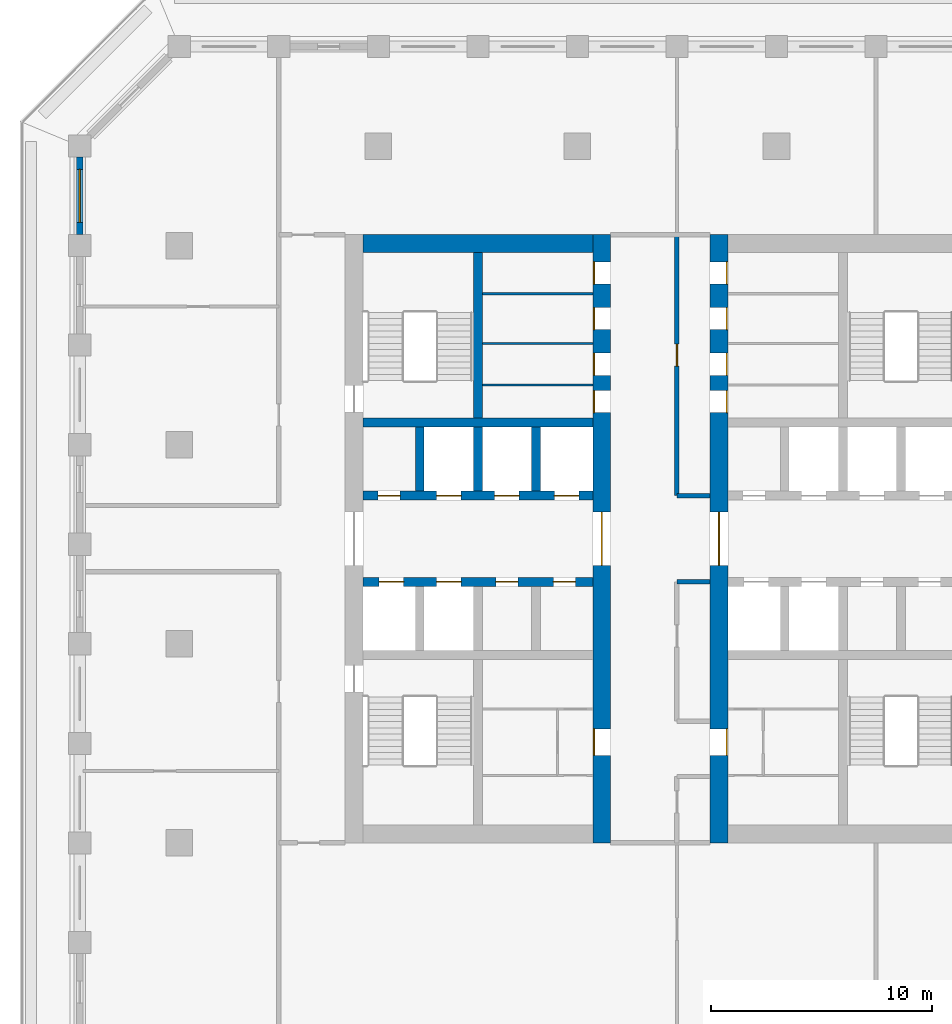
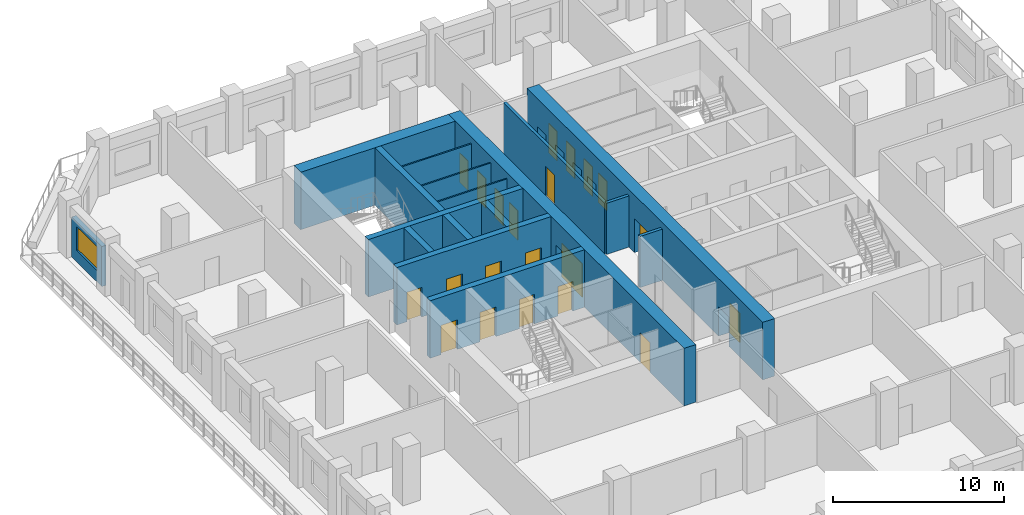
# One storey, part 5 of 16: 21 doors, 17 walls, 1 window, 22 openings.
"""IFC4 building model written with IfcOpenShell, lengths in metres."""

from ifc_helpers import new_model, si_unit, direction, frame, frame_2d, origin, place, context, subcontext, project, spatial, rectangle, extrude, material, layer, layer_set, type_object, element, fill, save


model = new_model("IFC4")

# Units and contexts
model_context = context("Model", 3, precision=1e-05, world=origin(), true_north=direction((0.0, 1.0)))
body_context = subcontext(model_context, "Body", "Model", "MODEL_VIEW")
ifc_project = project(units=[si_unit("LENGTHUNIT", "METRE"), si_unit("AREAUNIT", "SQUARE_METRE"), si_unit("VOLUMEUNIT", "CUBIC_METRE"), si_unit("PLANEANGLEUNIT", "RADIAN"), si_unit("MASSUNIT", "GRAM", prefix="KILO")], contexts=[model_context])

# Site, building, storey
site_placement = place(None, origin())
site = spatial("IfcSite", under=ifc_project, at=site_placement, CompositionType="ELEMENT")
building_placement = place(site_placement, origin())
building = spatial("IfcBuilding", under=site, at=building_placement, Name="Corbel Stack Research Tower", CompositionType="ELEMENT")
storey_placement = place(building_placement, frame((0.0, 0.0, 195.60009765625)))
storey = spatial("IfcBuildingStorey", under=building, at=storey_placement, Name="L44", CompositionType="ELEMENT", Elevation=195.60009765625)

# Wall, openings, doors
ifc_material_1 = material(Name="Concrete C60/75", Category="concrete")
ifc_layer_1 = layer(ifc_material_1, 0.39990234375)
ifc_layer_set_1 = layer_set([ifc_layer_1], Name="Concrete C60/75")
wall_type_1 = type_object("IfcWallType", Name="CW-400-60", PredefinedType="SHEAR", material=ifc_layer_set_1)
wall_1_placement = place(storey_placement, frame((-9.699951171875, 2.800048828125, 0.0), z_axis=(0.0, 0.0, 1.0), x_axis=(1.0, 0.0, 0.0)))
wall_1 = element("IfcWall", 1, at=wall_1_placement, inside=storey, type_object=wall_type_1, Name="West core wall, lobby south L44", PredefinedType="SHEAR", context=body_context, shape_type="SweptSolid", body=[
    extrude(rectangle(XDim=10.39990234375, YDim=0.39990234375, at=frame_2d((5.199951171875, 0.0))), origin(), (0.0, 0.0, 1.0), 4.099853515625),
])
opening_1_placement = place(wall_1_placement, frame((0.737548828125, 0.0, 0.0)))
opening_1 = element("IfcOpeningElement", 2, at=opening_1_placement, cuts=wall_1, Name="Opening LD-FS1", PredefinedType="OPENING", context=body_context, shape_type="SweptSolid", body=[
    extrude(rectangle(XDim=1.10009765625, YDim=2.10009765625, at=frame_2d((0.550048828125, 1.050048828125))), frame((0.0, 0.2099609375, 0.0), z_axis=(0.0, -1.0, 0.0), x_axis=(1.0, 0.0, 0.0)), (0.0, 0.0, 1.0), 0.419921875),
])
opening_2_placement = place(wall_1_placement, frame((3.33740234375, 0.0, 0.0)))
opening_2 = element("IfcOpeningElement", 3, at=opening_2_placement, cuts=wall_1, Name="Opening LD-GL1", PredefinedType="OPENING", context=body_context, shape_type="SweptSolid", body=[
    extrude(rectangle(XDim=1.10009765625, YDim=2.10009765625, at=frame_2d((0.550048828125, 1.050048828125))), frame((0.0, 0.2099609375, 0.0), z_axis=(0.0, -1.0, 0.0), x_axis=(1.0, 0.0, 0.0)), (0.0, 0.0, 1.0), 0.419921875),
])
opening_3_placement = place(wall_1_placement, frame((6.012451171875, 0.0, 0.0)))
opening_3 = element("IfcOpeningElement", 4, at=opening_3_placement, cuts=wall_1, Name="Opening CR-W36-S3", PredefinedType="OPENING", context=body_context, shape_type="SweptSolid", body=[
    extrude(rectangle(XDim=1.0, YDim=2.10009765625, at=frame_2d((0.5, 1.050048828125))), frame((0.0, 0.2099609375, 0.0), z_axis=(0.0, -1.0, 0.0), x_axis=(1.0, 0.0, 0.0)), (0.0, 0.0, 1.0), 0.419921875),
])
opening_4_placement = place(wall_1_placement, frame((8.612548828125, 0.0, 0.0)))
opening_4 = element("IfcOpeningElement", 5, at=opening_4_placement, cuts=wall_1, Name="Opening CR-W36-S4", PredefinedType="OPENING", context=body_context, shape_type="SweptSolid", body=[
    extrude(rectangle(XDim=1.0, YDim=2.10009765625, at=frame_2d((0.5, 1.050048828125))), frame((0.0, 0.2099609375, 0.0), z_axis=(0.0, -1.0, 0.0), x_axis=(1.0, 0.0, 0.0)), (0.0, 0.0, 1.0), 0.419921875),
])
ifc_material_2 = material(Name="Stainless steel landing door", Category="steel")
door_type_1 = type_object("IfcDoorType", Name="Lift landing door 1100 x 2100", OperationType="DOUBLE_DOOR_SLIDING", PredefinedType="DOOR", material=ifc_material_2)
door_1_placement = place(opening_1_placement, origin())
door_1 = element("IfcDoor", 6, at=door_1_placement, inside=storey, type_object=door_type_1, Name="Landing door FS1", OperationType="DOUBLE_DOOR_SLIDING", OverallHeight=2.10009765625, OverallWidth=1.10009765625, PredefinedType="DOOR", context=body_context, shape_type="SweptSolid", body=[
    extrude(rectangle(XDim=1.10009765625, YDim=2.10009765625, at=frame_2d((0.550048828125, 1.050048828125))), frame((0.0, 0.02490234375, 0.0), z_axis=(0.0, -1.0, 0.0), x_axis=(1.0, 0.0, 0.0)), (0.0, 0.0, 1.0), 0.050048828125),
])
fill(opening_1, door_1)
door_2_placement = place(opening_2_placement, origin())
door_2 = element("IfcDoor", 7, at=door_2_placement, inside=storey, type_object=door_type_1, Name="Landing door GL1", OperationType="DOUBLE_DOOR_SLIDING", OverallHeight=2.10009765625, OverallWidth=1.10009765625, PredefinedType="DOOR", context=body_context, shape_type="SweptSolid", body=[
    extrude(rectangle(XDim=1.10009765625, YDim=2.10009765625, at=frame_2d((0.550048828125, 1.050048828125))), frame((0.0, 0.02490234375, 0.0), z_axis=(0.0, -1.0, 0.0), x_axis=(1.0, 0.0, 0.0)), (0.0, 0.0, 1.0), 0.050048828125),
])
fill(opening_2, door_2)
ifc_material_3 = material(Name="Painted steel door", Category="steel")
door_type_2 = type_object("IfcDoorType", Name="Service door 1000 x 2100 FD60 left hand", OperationType="SINGLE_SWING_LEFT", PredefinedType="DOOR", material=ifc_material_3)
door_3_placement = place(opening_3_placement, origin())
door_3 = element("IfcDoor", 8, at=door_3_placement, inside=storey, type_object=door_type_2, Name="Mechanical room door W core", OperationType="SINGLE_SWING_LEFT", OverallHeight=2.10009765625, OverallWidth=1.0, PredefinedType="DOOR", context=body_context, shape_type="SweptSolid", body=[
    extrude(rectangle(XDim=1.0, YDim=2.10009765625, at=frame_2d((0.5, 1.050048828125))), frame((0.0, 0.02490234375, 0.0), z_axis=(0.0, -1.0, 0.0), x_axis=(1.0, 0.0, 0.0)), (0.0, 0.0, 1.0), 0.050048828125),
])
fill(opening_3, door_3)
ifc_material_4 = material(Name="Painted steel door", Category="steel")
door_type_3 = type_object("IfcDoorType", Name="Service door 1000 x 2100 FD60 right hand", OperationType="SINGLE_SWING_RIGHT", PredefinedType="DOOR", material=ifc_material_4)
door_4_placement = place(opening_4_placement, origin())
door_4 = element("IfcDoor", 9, at=door_4_placement, inside=storey, type_object=door_type_3, Name="Telecom room door W core", OperationType="SINGLE_SWING_RIGHT", OverallHeight=2.10009765625, OverallWidth=1.0, PredefinedType="DOOR", context=body_context, shape_type="SweptSolid", body=[
    extrude(rectangle(XDim=1.0, YDim=2.10009765625, at=frame_2d((0.5, 1.050048828125))), frame((0.0, 0.02490234375, 0.0), z_axis=(0.0, -1.0, 0.0), x_axis=(1.0, 0.0, 0.0)), (0.0, 0.0, 1.0), 0.050048828125),
])
fill(opening_4, door_4)

wall_2_placement = place(storey_placement, frame((-9.699951171875, 6.699951171875, 0.0), z_axis=(0.0, 0.0, 1.0), x_axis=(1.0, 0.0, 0.0)))
wall_2 = element("IfcWall", 10, at=wall_2_placement, inside=storey, type_object=wall_type_1, Name="West core wall, lobby north L44", PredefinedType="SHEAR", context=body_context, shape_type="SweptSolid", body=[
    extrude(rectangle(XDim=10.39990234375, YDim=0.39990234375, at=frame_2d((5.199951171875, 0.0))), origin(), (0.0, 0.0, 1.0), 4.099853515625),
])
opening_5_placement = place(wall_2_placement, frame((3.33740234375, 0.0, 0.0)))
opening_5 = element("IfcOpeningElement", 11, at=opening_5_placement, cuts=wall_2, Name="Opening LD-HR1", PredefinedType="OPENING", context=body_context, shape_type="SweptSolid", body=[
    extrude(rectangle(XDim=1.10009765625, YDim=2.10009765625, at=frame_2d((0.550048828125, 1.050048828125))), frame((0.0, 0.2099609375, 0.0), z_axis=(0.0, -1.0, 0.0), x_axis=(1.0, 0.0, 0.0)), (0.0, 0.0, 1.0), 0.419921875),
])
opening_6_placement = place(wall_2_placement, frame((5.96240234375, 0.0, 0.0)))
opening_6 = element("IfcOpeningElement", 12, at=opening_6_placement, cuts=wall_2, Name="Opening LD-HR2", PredefinedType="OPENING", context=body_context, shape_type="SweptSolid", body=[
    extrude(rectangle(XDim=1.10009765625, YDim=2.10009765625, at=frame_2d((0.550048828125, 1.050048828125))), frame((0.0, 0.2099609375, 0.0), z_axis=(0.0, -1.0, 0.0), x_axis=(1.0, 0.0, 0.0)), (0.0, 0.0, 1.0), 0.419921875),
])
opening_7_placement = place(wall_2_placement, frame((8.66259765625, 0.0, 0.0)))
opening_7 = element("IfcOpeningElement", 13, at=opening_7_placement, cuts=wall_2, Name="Opening LD-HR3", PredefinedType="OPENING", context=body_context, shape_type="SweptSolid", body=[
    extrude(rectangle(XDim=1.10009765625, YDim=2.10009765625, at=frame_2d((0.550048828125, 1.050048828125))), frame((0.0, 0.2099609375, 0.0), z_axis=(0.0, -1.0, 0.0), x_axis=(1.0, 0.0, 0.0)), (0.0, 0.0, 1.0), 0.419921875),
])
opening_8_placement = place(wall_2_placement, frame((0.6875, 0.0, 0.0)))
opening_8 = element("IfcOpeningElement", 14, at=opening_8_placement, cuts=wall_2, Name="Opening CR-W36-N1", PredefinedType="OPENING", context=body_context, shape_type="SweptSolid", body=[
    extrude(rectangle(XDim=1.0, YDim=2.10009765625, at=frame_2d((0.5, 1.050048828125))), frame((0.0, 0.2099609375, 0.0), z_axis=(0.0, -1.0, 0.0), x_axis=(1.0, 0.0, 0.0)), (0.0, 0.0, 1.0), 0.419921875),
])
door_5_placement = place(opening_5_placement, origin())
door_5 = element("IfcDoor", 15, at=door_5_placement, inside=storey, type_object=door_type_1, Name="Landing door HR1", OperationType="DOUBLE_DOOR_SLIDING", OverallHeight=2.10009765625, OverallWidth=1.10009765625, PredefinedType="DOOR", context=body_context, shape_type="SweptSolid", body=[
    extrude(rectangle(XDim=1.10009765625, YDim=2.10009765625, at=frame_2d((0.550048828125, 1.050048828125))), frame((0.0, 0.02490234375, 0.0), z_axis=(0.0, -1.0, 0.0), x_axis=(1.0, 0.0, 0.0)), (0.0, 0.0, 1.0), 0.050048828125),
])
fill(opening_5, door_5)
door_6_placement = place(opening_6_placement, origin())
door_6 = element("IfcDoor", 16, at=door_6_placement, inside=storey, type_object=door_type_1, Name="Landing door HR2", OperationType="DOUBLE_DOOR_SLIDING", OverallHeight=2.10009765625, OverallWidth=1.10009765625, PredefinedType="DOOR", context=body_context, shape_type="SweptSolid", body=[
    extrude(rectangle(XDim=1.10009765625, YDim=2.10009765625, at=frame_2d((0.550048828125, 1.050048828125))), frame((0.0, 0.02490234375, 0.0), z_axis=(0.0, -1.0, 0.0), x_axis=(1.0, 0.0, 0.0)), (0.0, 0.0, 1.0), 0.050048828125),
])
fill(opening_6, door_6)
door_7_placement = place(opening_7_placement, origin())
door_7 = element("IfcDoor", 17, at=door_7_placement, inside=storey, type_object=door_type_1, Name="Landing door HR3", OperationType="DOUBLE_DOOR_SLIDING", OverallHeight=2.10009765625, OverallWidth=1.10009765625, PredefinedType="DOOR", context=body_context, shape_type="SweptSolid", body=[
    extrude(rectangle(XDim=1.10009765625, YDim=2.10009765625, at=frame_2d((0.550048828125, 1.050048828125))), frame((0.0, 0.02490234375, 0.0), z_axis=(0.0, -1.0, 0.0), x_axis=(1.0, 0.0, 0.0)), (0.0, 0.0, 1.0), 0.050048828125),
])
fill(opening_7, door_7)
door_8_placement = place(opening_8_placement, origin())
door_8 = element("IfcDoor", 18, at=door_8_placement, inside=storey, type_object=door_type_2, Name="Copy and supply store door W core", OperationType="SINGLE_SWING_LEFT", OverallHeight=2.10009765625, OverallWidth=1.0, PredefinedType="DOOR", context=body_context, shape_type="SweptSolid", body=[
    extrude(rectangle(XDim=1.0, YDim=2.10009765625, at=frame_2d((0.5, 1.050048828125))), frame((0.0, 0.02490234375, 0.0), z_axis=(0.0, -1.0, 0.0), x_axis=(1.0, 0.0, 0.0)), (0.0, 0.0, 1.0), 0.050048828125),
])
fill(opening_8, door_8)

# Walls
wall_3_placement = place(storey_placement, frame((-9.699951171875, 10.0, 0.0), z_axis=(0.0, 0.0, 1.0), x_axis=(1.0, 0.0, 0.0)))
element("IfcWall", 19, at=wall_3_placement, inside=storey, type_object=wall_type_1, Name="West core wall, north row back L44", PredefinedType="SHEAR", context=body_context, shape_type="SweptSolid", body=[
    extrude(rectangle(XDim=10.39990234375, YDim=0.39990234375, at=frame_2d((5.199951171875, 0.0))), origin(), (0.0, 0.0, 1.0), 4.099853515625),
])
for number, where, z_axis, x_axis, name in (
    (20, (-7.125, 6.89990234375, 0.0), (0.0, 0.0, 1.0), (0.0, 1.0, 0.0), "West core wall, north shaft 1 L44"),
    (21, (-4.5, 6.89990234375, 0.0), (0.0, 0.0, 1.0), (0.0, 1.0, 0.0), "West core wall, north shaft 2 L44"),
    (22, (-1.875, 6.89990234375, 0.0), (0.0, 0.0, 1.0), (0.0, 1.0, 0.0), "West core wall, north shaft 3 L44"),
):
    element("IfcWall", number, at=place(storey_placement, frame(where, z_axis=z_axis, x_axis=x_axis)), inside=storey, type_object=wall_type_1, Name=name, PredefinedType="SHEAR", context=body_context, shape_type="SweptSolid", body=[
        extrude(rectangle(XDim=2.900146484375, YDim=0.39990234375, at=frame_2d((1.4501953125, 0.0))), origin(), (0.0, 0.0, 1.0), 4.099853515625),
    ])
wall_4_placement = place(storey_placement, frame((-4.5, 10.199951171875, 0.0), z_axis=(0.0, 0.0, 1.0), x_axis=(0.0, 1.0, 0.0)))
element("IfcWall", 23, at=wall_4_placement, inside=storey, type_object=wall_type_1, Name="West core wall, north stair and riser L44", PredefinedType="SHEAR", context=body_context, shape_type="SweptSolid", body=[
    extrude(rectangle(XDim=7.5, YDim=0.39990234375, at=frame_2d((3.75, 0.0))), origin(), (0.0, 0.0, 1.0), 4.099853515625),
])

# Wall, openings, doors
ifc_material_5 = material(Name="Concrete C60/75", Category="concrete")
ifc_layer_2 = layer(ifc_material_5, 0.800048828125)
ifc_layer_set_2 = layer_set([ifc_layer_2], Name="Concrete C60/75")
wall_type_2 = type_object("IfcWallType", Name="CW-800-60", PredefinedType="SHEAR", material=ifc_layer_set_2)
wall_5_placement = place(storey_placement, frame((1.10009765625, -9.0, 0.0), z_axis=(0.0, 0.0, 1.0), x_axis=(0.0, 1.0, 0.0)))
wall_5 = element("IfcWall", 24, at=wall_5_placement, inside=storey, type_object=wall_type_2, Name="West core wall, east face L44", PredefinedType="SHEAR", context=body_context, shape_type="SweptSolid", body=[
    extrude(rectangle(XDim=27.5, YDim=0.800048828125, at=frame_2d((13.75, 0.0))), origin(), (0.0, 0.0, 1.0), 4.099853515625),
])
opening_9_placement = place(wall_5_placement, frame((12.550048828125, 0.0, 0.0)))
opening_9 = element("IfcOpeningElement", 25, at=opening_9_placement, cuts=wall_5, Name="Opening CD-W-E", PredefinedType="OPENING", context=body_context, shape_type="SweptSolid", body=[
    extrude(rectangle(XDim=2.39990234375, YDim=2.39990234375, at=frame_2d((1.199951171875, 1.199951171875))), frame((0.0, 0.409912109375, 0.0), z_axis=(0.0, -1.0, 0.0), x_axis=(1.0, 0.0, 0.0)), (0.0, 0.0, 1.0), 0.820068359375),
])
opening_10_placement = place(wall_5_placement, frame((3.949951171875, 0.0, 0.0)))
opening_10 = element("IfcOpeningElement", 26, at=opening_10_placement, cuts=wall_5, Name="Opening CR-W36-W1-1200", PredefinedType="OPENING", context=body_context, shape_type="SweptSolid", body=[
    extrude(rectangle(XDim=1.199951171875, YDim=2.10009765625, at=frame_2d((0.60009765625, 1.050048828125))), frame((0.0, 0.409912109375, 0.0), z_axis=(0.0, -1.0, 0.0), x_axis=(1.0, 0.0, 0.0)), (0.0, 0.0, 1.0), 0.820068359375),
])
opening_11_placement = place(wall_5_placement, frame((19.449951171875, 0.0, 0.0)))
opening_11 = element("IfcOpeningElement", 27, at=opening_11_placement, cuts=wall_5, Name="Opening CR-W36-R1-1000", PredefinedType="OPENING", context=body_context, shape_type="SweptSolid", body=[
    extrude(rectangle(XDim=1.0, YDim=2.10009765625, at=frame_2d((0.5, 1.050048828125))), frame((0.0, 0.409912109375, 0.0), z_axis=(0.0, -1.0, 0.0), x_axis=(1.0, 0.0, 0.0)), (0.0, 0.0, 1.0), 0.820068359375),
])
opening_12_placement = place(wall_5_placement, frame((21.137451171875, 0.0, 0.0)))
opening_12 = element("IfcOpeningElement", 28, at=opening_12_placement, cuts=wall_5, Name="Opening CR-W36-R2-1000", PredefinedType="OPENING", context=body_context, shape_type="SweptSolid", body=[
    extrude(rectangle(XDim=1.0, YDim=2.10009765625, at=frame_2d((0.5, 1.050048828125))), frame((0.0, 0.409912109375, 0.0), z_axis=(0.0, -1.0, 0.0), x_axis=(1.0, 0.0, 0.0)), (0.0, 0.0, 1.0), 0.820068359375),
])
opening_13_placement = place(wall_5_placement, frame((23.199951171875, 0.0, 0.0)))
opening_13 = element("IfcOpeningElement", 29, at=opening_13_placement, cuts=wall_5, Name="Opening CR-W36-R3-1000", PredefinedType="OPENING", context=body_context, shape_type="SweptSolid", body=[
    extrude(rectangle(XDim=1.0, YDim=2.10009765625, at=frame_2d((0.5, 1.050048828125))), frame((0.0, 0.409912109375, 0.0), z_axis=(0.0, -1.0, 0.0), x_axis=(1.0, 0.0, 0.0)), (0.0, 0.0, 1.0), 0.820068359375),
])
opening_14_placement = place(wall_5_placement, frame((25.262451171875, 0.0, 0.0)))
opening_14 = element("IfcOpeningElement", 30, at=opening_14_placement, cuts=wall_5, Name="Opening CR-W36-R4-1000", PredefinedType="OPENING", context=body_context, shape_type="SweptSolid", body=[
    extrude(rectangle(XDim=1.0, YDim=2.10009765625, at=frame_2d((0.5, 1.050048828125))), frame((0.0, 0.409912109375, 0.0), z_axis=(0.0, -1.0, 0.0), x_axis=(1.0, 0.0, 0.0)), (0.0, 0.0, 1.0), 0.820068359375),
])
ifc_material_6 = material(Name="Painted steel fire door", Category="steel")
door_type_4 = type_object("IfcDoorType", Name="Lobby door pair 2400 x 2400 FD30S", OperationType="DOUBLE_DOOR_DOUBLE_SWING", PredefinedType="DOOR", material=ifc_material_6)
door_9_placement = place(opening_9_placement, origin())
door_9 = element("IfcDoor", 31, at=door_9_placement, inside=storey, type_object=door_type_4, Name="Lift lobby door W core E", OperationType="DOUBLE_DOOR_DOUBLE_SWING", OverallHeight=2.39990234375, OverallWidth=2.39990234375, PredefinedType="DOOR", context=body_context, shape_type="SweptSolid", body=[
    extrude(rectangle(XDim=2.39990234375, YDim=2.39990234375, at=frame_2d((1.199951171875, 1.199951171875))), frame((0.0, 0.02490234375, 0.0), z_axis=(0.0, -1.0, 0.0), x_axis=(1.0, 0.0, 0.0)), (0.0, 0.0, 1.0), 0.050048828125),
])
fill(opening_9, door_9)
ifc_material_7 = material(Name="Painted steel door", Category="steel")
door_type_5 = type_object("IfcDoorType", Name="Riser door 1000 x 2100 FD60 left hand", OperationType="SINGLE_SWING_LEFT", PredefinedType="DOOR", material=ifc_material_7)
door_10_placement = place(opening_11_placement, origin())
door_10 = element("IfcDoor", 32, at=door_10_placement, inside=storey, type_object=door_type_5, Name="Electrical riser door W core", OperationType="SINGLE_SWING_LEFT", OverallHeight=2.10009765625, OverallWidth=1.0, PredefinedType="DOOR", context=body_context, shape_type="SweptSolid", body=[
    extrude(rectangle(XDim=1.0, YDim=2.10009765625, at=frame_2d((0.5, 1.050048828125))), frame((0.0, 0.375, 0.0), z_axis=(0.0, -1.0, 0.0), x_axis=(1.0, 0.0, 0.0)), (0.0, 0.0, 1.0), 0.050048828125),
])
fill(opening_11, door_10)
ifc_material_8 = material(Name="Painted steel door", Category="steel")
door_type_6 = type_object("IfcDoorType", Name="Riser door 1000 x 2100 FD60 right hand", OperationType="SINGLE_SWING_RIGHT", PredefinedType="DOOR", material=ifc_material_8)
door_11_placement = place(opening_12_placement, origin())
door_11 = element("IfcDoor", 33, at=door_11_placement, inside=storey, type_object=door_type_6, Name="Telecom room door W core", OperationType="SINGLE_SWING_RIGHT", OverallHeight=2.10009765625, OverallWidth=1.0, PredefinedType="DOOR", context=body_context, shape_type="SweptSolid", body=[
    extrude(rectangle(XDim=1.0, YDim=2.10009765625, at=frame_2d((0.5, 1.050048828125))), frame((0.0, 0.375, 0.0), z_axis=(0.0, -1.0, 0.0), x_axis=(1.0, 0.0, 0.0)), (0.0, 0.0, 1.0), 0.050048828125),
])
fill(opening_12, door_11)
ifc_material_9 = material(Name="Painted steel door", Category="steel")
door_type_7 = type_object("IfcDoorType", Name="Service door 1000 x 2100 FD30 left hand", OperationType="SINGLE_SWING_LEFT", PredefinedType="DOOR", material=ifc_material_9)
door_12_placement = place(opening_13_placement, origin())
door_12 = element("IfcDoor", 34, at=door_12_placement, inside=storey, type_object=door_type_7, Name="Pantry door W core", OperationType="SINGLE_SWING_LEFT", OverallHeight=2.10009765625, OverallWidth=1.0, PredefinedType="DOOR", context=body_context, shape_type="SweptSolid", body=[
    extrude(rectangle(XDim=1.0, YDim=2.10009765625, at=frame_2d((0.5, 1.050048828125))), frame((0.0, 0.375, 0.0), z_axis=(0.0, -1.0, 0.0), x_axis=(1.0, 0.0, 0.0)), (0.0, 0.0, 1.0), 0.050048828125),
])
fill(opening_13, door_12)
ifc_material_10 = material(Name="Painted steel door", Category="steel")
door_type_8 = type_object("IfcDoorType", Name="Service door 1000 x 2100 FD30 right hand", OperationType="SINGLE_SWING_RIGHT", PredefinedType="DOOR", material=ifc_material_10)
door_13_placement = place(opening_14_placement, origin())
door_13 = element("IfcDoor", 35, at=door_13_placement, inside=storey, type_object=door_type_8, Name="Cleaner's store door W core", OperationType="SINGLE_SWING_RIGHT", OverallHeight=2.10009765625, OverallWidth=1.0, PredefinedType="DOOR", context=body_context, shape_type="SweptSolid", body=[
    extrude(rectangle(XDim=1.0, YDim=2.10009765625, at=frame_2d((0.5, 1.050048828125))), frame((0.0, 0.375, 0.0), z_axis=(0.0, -1.0, 0.0), x_axis=(1.0, 0.0, 0.0)), (0.0, 0.0, 1.0), 0.050048828125),
])
fill(opening_14, door_13)
ifc_material_11 = material(Name="Painted timber door", Category="wood")
door_type_9 = type_object("IfcDoorType", Name="WC door 1200 x 2100 left hand", OperationType="SINGLE_SWING_LEFT", PredefinedType="DOOR", material=ifc_material_11)
door_14_placement = place(opening_10_placement, origin())
door_14 = element("IfcDoor", 36, at=door_14_placement, inside=storey, type_object=door_type_9, Name="WC lobby door W core", OperationType="SINGLE_SWING_LEFT", OverallHeight=2.10009765625, OverallWidth=1.199951171875, PredefinedType="DOOR", context=body_context, shape_type="SweptSolid", body=[
    extrude(rectangle(XDim=1.199951171875, YDim=2.10009765625, at=frame_2d((0.60009765625, 1.050048828125))), frame((0.0, 0.375, 0.0), z_axis=(0.0, -1.0, 0.0), x_axis=(1.0, 0.0, 0.0)), (0.0, 0.0, 1.0), 0.050048828125),
])
fill(opening_10, door_14)

# Wall
wall_6_placement = place(storey_placement, frame((-9.699951171875, 18.10009765625, 0.0), z_axis=(0.0, 0.0, 1.0), x_axis=(1.0, 0.0, 0.0)))
element("IfcWall", 37, at=wall_6_placement, inside=storey, type_object=wall_type_2, Name="West core wall, north end L44", PredefinedType="SHEAR", context=body_context, shape_type="SweptSolid", body=[
    extrude(rectangle(XDim=10.39990234375, YDim=0.800048828125, at=frame_2d((5.199951171875, 0.0))), origin(), (0.0, 0.0, 1.0), 4.099853515625),
])

# Wall, openings, doors
wall_7_placement = place(storey_placement, frame((6.39990234375, -9.0, 0.0), z_axis=(0.0, 0.0, 1.0), x_axis=(0.0, 1.0, 0.0)))
wall_7 = element("IfcWall", 38, at=wall_7_placement, inside=storey, type_object=wall_type_2, Name="East core wall, west face L44", PredefinedType="SHEAR", context=body_context, shape_type="SweptSolid", body=[
    extrude(rectangle(XDim=27.5, YDim=0.800048828125, at=frame_2d((13.75, 0.0))), origin(), (0.0, 0.0, 1.0), 4.099853515625),
])
opening_15_placement = place(wall_7_placement, frame((12.550048828125, 0.0, 0.0)))
opening_15 = element("IfcOpeningElement", 39, at=opening_15_placement, cuts=wall_7, Name="Opening CD-E-W", PredefinedType="OPENING", context=body_context, shape_type="SweptSolid", body=[
    extrude(rectangle(XDim=2.39990234375, YDim=2.39990234375, at=frame_2d((1.199951171875, 1.199951171875))), frame((0.0, 0.409912109375, 0.0), z_axis=(0.0, -1.0, 0.0), x_axis=(1.0, 0.0, 0.0)), (0.0, 0.0, 1.0), 0.820068359375),
])
opening_16_placement = place(wall_7_placement, frame((3.949951171875, 0.0, 0.0)))
opening_16 = element("IfcOpeningElement", 40, at=opening_16_placement, cuts=wall_7, Name="Opening CR-E36-W1-1200", PredefinedType="OPENING", context=body_context, shape_type="SweptSolid", body=[
    extrude(rectangle(XDim=1.199951171875, YDim=2.10009765625, at=frame_2d((0.60009765625, 1.050048828125))), frame((0.0, 0.409912109375, 0.0), z_axis=(0.0, -1.0, 0.0), x_axis=(1.0, 0.0, 0.0)), (0.0, 0.0, 1.0), 0.820068359375),
])
opening_17_placement = place(wall_7_placement, frame((19.449951171875, 0.0, 0.0)))
opening_17 = element("IfcOpeningElement", 41, at=opening_17_placement, cuts=wall_7, Name="Opening CR-E36-R1-1000", PredefinedType="OPENING", context=body_context, shape_type="SweptSolid", body=[
    extrude(rectangle(XDim=1.0, YDim=2.10009765625, at=frame_2d((0.5, 1.050048828125))), frame((0.0, 0.409912109375, 0.0), z_axis=(0.0, -1.0, 0.0), x_axis=(1.0, 0.0, 0.0)), (0.0, 0.0, 1.0), 0.820068359375),
])
opening_18_placement = place(wall_7_placement, frame((21.137451171875, 0.0, 0.0)))
opening_18 = element("IfcOpeningElement", 42, at=opening_18_placement, cuts=wall_7, Name="Opening CR-E36-R2-1000", PredefinedType="OPENING", context=body_context, shape_type="SweptSolid", body=[
    extrude(rectangle(XDim=1.0, YDim=2.10009765625, at=frame_2d((0.5, 1.050048828125))), frame((0.0, 0.409912109375, 0.0), z_axis=(0.0, -1.0, 0.0), x_axis=(1.0, 0.0, 0.0)), (0.0, 0.0, 1.0), 0.820068359375),
])
opening_19_placement = place(wall_7_placement, frame((23.199951171875, 0.0, 0.0)))
opening_19 = element("IfcOpeningElement", 43, at=opening_19_placement, cuts=wall_7, Name="Opening CR-E36-R3-1000", PredefinedType="OPENING", context=body_context, shape_type="SweptSolid", body=[
    extrude(rectangle(XDim=1.0, YDim=2.10009765625, at=frame_2d((0.5, 1.050048828125))), frame((0.0, 0.409912109375, 0.0), z_axis=(0.0, -1.0, 0.0), x_axis=(1.0, 0.0, 0.0)), (0.0, 0.0, 1.0), 0.820068359375),
])
opening_20_placement = place(wall_7_placement, frame((25.262451171875, 0.0, 0.0)))
opening_20 = element("IfcOpeningElement", 44, at=opening_20_placement, cuts=wall_7, Name="Opening CR-E36-R4-1000", PredefinedType="OPENING", context=body_context, shape_type="SweptSolid", body=[
    extrude(rectangle(XDim=1.0, YDim=2.10009765625, at=frame_2d((0.5, 1.050048828125))), frame((0.0, 0.409912109375, 0.0), z_axis=(0.0, -1.0, 0.0), x_axis=(1.0, 0.0, 0.0)), (0.0, 0.0, 1.0), 0.820068359375),
])
door_15_placement = place(opening_15_placement, origin())
door_15 = element("IfcDoor", 45, at=door_15_placement, inside=storey, type_object=door_type_4, Name="Lift lobby door E core W", OperationType="DOUBLE_DOOR_DOUBLE_SWING", OverallHeight=2.39990234375, OverallWidth=2.39990234375, PredefinedType="DOOR", context=body_context, shape_type="SweptSolid", body=[
    extrude(rectangle(XDim=2.39990234375, YDim=2.39990234375, at=frame_2d((1.199951171875, 1.199951171875))), frame((0.0, 0.02490234375, 0.0), z_axis=(0.0, -1.0, 0.0), x_axis=(1.0, 0.0, 0.0)), (0.0, 0.0, 1.0), 0.050048828125),
])
fill(opening_15, door_15)
door_16_placement = place(opening_18_placement, origin())
door_16 = element("IfcDoor", 46, at=door_16_placement, inside=storey, type_object=door_type_5, Name="Telecom room door E core", OperationType="SINGLE_SWING_LEFT", OverallHeight=2.10009765625, OverallWidth=1.0, PredefinedType="DOOR", context=body_context, shape_type="SweptSolid", body=[
    extrude(rectangle(XDim=1.0, YDim=2.10009765625, at=frame_2d((0.5, 1.050048828125))), frame((0.0, -0.3251953125, 0.0), z_axis=(0.0, -1.0, 0.0), x_axis=(1.0, 0.0, 0.0)), (0.0, 0.0, 1.0), 0.050048828125),
])
fill(opening_18, door_16)
door_17_placement = place(opening_17_placement, origin())
door_17 = element("IfcDoor", 47, at=door_17_placement, inside=storey, type_object=door_type_6, Name="Electrical riser door E core", OperationType="SINGLE_SWING_RIGHT", OverallHeight=2.10009765625, OverallWidth=1.0, PredefinedType="DOOR", context=body_context, shape_type="SweptSolid", body=[
    extrude(rectangle(XDim=1.0, YDim=2.10009765625, at=frame_2d((0.5, 1.050048828125))), frame((0.0, -0.3251953125, 0.0), z_axis=(0.0, -1.0, 0.0), x_axis=(1.0, 0.0, 0.0)), (0.0, 0.0, 1.0), 0.050048828125),
])
fill(opening_17, door_17)
door_18_placement = place(opening_20_placement, origin())
door_18 = element("IfcDoor", 48, at=door_18_placement, inside=storey, type_object=door_type_7, Name="Cleaner's store door E core", OperationType="SINGLE_SWING_LEFT", OverallHeight=2.10009765625, OverallWidth=1.0, PredefinedType="DOOR", context=body_context, shape_type="SweptSolid", body=[
    extrude(rectangle(XDim=1.0, YDim=2.10009765625, at=frame_2d((0.5, 1.050048828125))), frame((0.0, -0.3251953125, 0.0), z_axis=(0.0, -1.0, 0.0), x_axis=(1.0, 0.0, 0.0)), (0.0, 0.0, 1.0), 0.050048828125),
])
fill(opening_20, door_18)
door_19_placement = place(opening_19_placement, origin())
door_19 = element("IfcDoor", 49, at=door_19_placement, inside=storey, type_object=door_type_8, Name="Pantry door E core", OperationType="SINGLE_SWING_RIGHT", OverallHeight=2.10009765625, OverallWidth=1.0, PredefinedType="DOOR", context=body_context, shape_type="SweptSolid", body=[
    extrude(rectangle(XDim=1.0, YDim=2.10009765625, at=frame_2d((0.5, 1.050048828125))), frame((0.0, -0.3251953125, 0.0), z_axis=(0.0, -1.0, 0.0), x_axis=(1.0, 0.0, 0.0)), (0.0, 0.0, 1.0), 0.050048828125),
])
fill(opening_19, door_19)
ifc_material_12 = material(Name="Painted timber door", Category="wood")
door_type_10 = type_object("IfcDoorType", Name="WC door 1200 x 2100 right hand", OperationType="SINGLE_SWING_RIGHT", PredefinedType="DOOR", material=ifc_material_12)
door_20_placement = place(opening_16_placement, origin())
door_20 = element("IfcDoor", 50, at=door_20_placement, inside=storey, type_object=door_type_10, Name="WC lobby door E core", OperationType="SINGLE_SWING_RIGHT", OverallHeight=2.10009765625, OverallWidth=1.199951171875, PredefinedType="DOOR", context=body_context, shape_type="SweptSolid", body=[
    extrude(rectangle(XDim=1.199951171875, YDim=2.10009765625, at=frame_2d((0.60009765625, 1.050048828125))), frame((0.0, -0.3251953125, 0.0), z_axis=(0.0, -1.0, 0.0), x_axis=(1.0, 0.0, 0.0)), (0.0, 0.0, 1.0), 0.050048828125),
])
fill(opening_16, door_20)

# Walls
ifc_material_13 = material(Name="Gypsum board")
ifc_layer_3 = layer(ifc_material_13, 0.10009765625)
ifc_layer_set_3 = layer_set([ifc_layer_3], Name="Gypsum board")
wall_type_3 = type_object("IfcWallType", Name="Core partition 100", PredefinedType="PARTITIONING", material=ifc_layer_set_3)
for number, where, z_axis, x_axis, name in (
    (51, (-4.300048828125, 11.699951171875, 0.0), (0.0, 0.0, 1.0), (1.0, 0.0, 0.0), "Core partition W"),
    (52, (-4.300048828125, 13.574951171875, 0.0), (0.0, 0.0, 1.0), (1.0, 0.0, 0.0), "Core partition W"),
    (53, (-4.300048828125, 15.824951171875, 0.0), (0.0, 0.0, 1.0), (1.0, 0.0, 0.0), "Core partition W"),
):
    element("IfcWall", number, at=place(storey_placement, frame(where, z_axis=z_axis, x_axis=x_axis)), inside=storey, type_object=wall_type_3, Name=name, PredefinedType="PARTITIONING", context=body_context, shape_type="SweptSolid", body=[
        extrude(rectangle(XDim=5.0, YDim=0.10009765625, at=frame_2d((2.5, 0.0))), origin(), (0.0, 0.0, 1.0), 3.64990234375),
    ])

# Wall, opening, door
ifc_material_14 = material(Name="Fire-rated gypsum board partition on steel studs", Category="steel")
ifc_layer_4 = layer(ifc_material_14, 0.199951171875)
ifc_layer_set_4 = layer_set([ifc_layer_4], Name="Fire-rated gypsum board partition on steel studs")
wall_type_4 = type_object("IfcWallType", Name="Fire-rated partition 200 EI 60", PredefinedType="PARTITIONING", material=ifc_layer_set_4)
wall_8_placement = place(storey_placement, frame((4.5, 18.5, 0.0), z_axis=(0.0, 0.0, 1.0), x_axis=(0.0, -1.0, 0.0)))
wall_8 = element("IfcWall", 54, at=wall_8_placement, inside=storey, type_object=wall_type_4, Name="Partition L44-007", PredefinedType="PARTITIONING", context=body_context, shape_type="SweptSolid", body=[
    extrude(rectangle(XDim=11.800048828125, YDim=0.199951171875, at=frame_2d((5.89990234375, 0.0))), origin(), (0.0, 0.0, 1.0), 3.64990234375),
])
opening_21_placement = place(wall_8_placement, frame((4.949951171875, 0.0, 0.0)))
opening_21 = element("IfcOpeningElement", 55, at=opening_21_placement, cuts=wall_8, Name="Opening B6V0-014", PredefinedType="OPENING", context=body_context, shape_type="SweptSolid", body=[
    extrude(rectangle(XDim=1.0, YDim=2.10009765625, at=frame_2d((0.5, 1.050048828125))), frame((0.0, 0.10986328125, 0.0), z_axis=(0.0, -1.0, 0.0), x_axis=(1.0, 0.0, 0.0)), (0.0, 0.0, 1.0), 0.219970703125),
])
ifc_material_15 = material(Name="Painted steel fire door", Category="steel")
door_type_11 = type_object("IfcDoorType", Name="Fire door FD30S 1000 x 2100", OperationType="NOTDEFINED", PredefinedType="DOOR", material=ifc_material_15)
door_21_placement = place(opening_21_placement, origin())
door_21 = element("IfcDoor", 56, at=door_21_placement, inside=storey, type_object=door_type_11, Name="Door B6V0-014", OperationType="SINGLE_SWING_LEFT", OverallHeight=2.10009765625, OverallWidth=1.0, PredefinedType="DOOR", context=body_context, shape_type="SweptSolid", body=[
    extrude(rectangle(XDim=1.0, YDim=2.10009765625, at=frame_2d((0.5, 1.050048828125))), frame((0.0, 0.02490234375, 0.0), z_axis=(0.0, -1.0, 0.0), x_axis=(1.0, 0.0, 0.0)), (0.0, 0.0, 1.0), 0.050048828125),
])
fill(opening_21, door_21)

# Walls
for number, where, z_axis, x_axis, name in (
    (57, (4.5, 2.800048828125, 0.0), (0.0, 0.0, 1.0), (1.0, 0.0, 0.0), "Partition L44-024"),
    (58, (4.5, 6.699951171875, 0.0), (0.0, 0.0, 1.0), (1.0, 0.0, 0.0), "Partition L44-029"),
):
    element("IfcWall", number, at=place(storey_placement, frame(where, z_axis=z_axis, x_axis=x_axis)), inside=storey, type_object=wall_type_4, Name=name, PredefinedType="PARTITIONING", context=body_context, shape_type="SweptSolid", body=[
        extrude(rectangle(XDim=1.5, YDim=0.199951171875, at=frame_2d((0.75, 0.0))), origin(), (0.0, 0.0, 1.0), 3.64990234375),
    ])

# Wall, opening, window
ifc_material_16 = material(Name="Concrete C45/55", Category="concrete")
ifc_layer_5 = layer(ifc_material_16, 0.300048828125)
ifc_layer_set_5 = layer_set([ifc_layer_5], Name="Concrete C45/55")
wall_type_5 = type_object("IfcWallType", Name="Terracotta-faced concrete wall 300", PredefinedType="SOLIDWALL", material=ifc_layer_set_5)
wall_9_placement = place(storey_placement, frame((-22.5, 18.5, 0.0), z_axis=(0.0, 0.0, 1.0), x_axis=(0.0, 1.0, 0.0)))
wall_9 = element("IfcWall", 59, at=wall_9_placement, inside=storey, type_object=wall_type_5, Name="Facade wall L44 W01", PredefinedType="SOLIDWALL", context=body_context, shape_type="SweptSolid", body=[
    extrude(rectangle(XDim=3.5, YDim=0.300048828125, at=frame_2d((1.75, 0.0))), origin(), (0.0, 0.0, 1.0), 2.849853515625),
])
opening_22_placement = place(wall_9_placement, frame((0.550048828125, 0.0, 0.800048828125)))
opening_22 = element("IfcOpeningElement", 60, at=opening_22_placement, cuts=wall_9, Name="Opening W1", PredefinedType="OPENING", context=body_context, shape_type="SweptSolid", body=[
    extrude(rectangle(XDim=2.39990234375, YDim=1.699951171875, at=frame_2d((1.199951171875, 0.85009765625))), frame((0.0, 0.159912109375, 0.0), z_axis=(0.0, -1.0, 0.0), x_axis=(1.0, 0.0, 0.0)), (0.0, 0.0, 1.0), 0.320068359375),
])
ifc_material_17 = material(Name="Aluminium frame, clear double glazing", Category="aluminium")
window_type = type_object("IfcWindowType", Name="Window W1 2400 x 1700", PartitioningType="SINGLE_PANEL", PredefinedType="WINDOW", material=ifc_material_17)
window_placement = place(opening_22_placement, origin())
window = element("IfcWindow", 61, at=window_placement, inside=storey, type_object=window_type, Name="Window W1 L44 W01", OverallHeight=1.699951171875, OverallWidth=2.39990234375, PartitioningType="SINGLE_PANEL", PredefinedType="WINDOW", context=body_context, shape_type="SweptSolid", body=[
    extrude(rectangle(XDim=2.39990234375, YDim=1.699951171875, at=frame_2d((1.199951171875, 0.85009765625))), frame((0.0, 0.030029296875, 0.0), z_axis=(0.0, -1.0, 0.0), x_axis=(1.0, 0.0, 0.0)), (0.0, 0.0, 1.0), 0.06005859375),
])
fill(opening_22, window)

save(model, "model.ifc")
